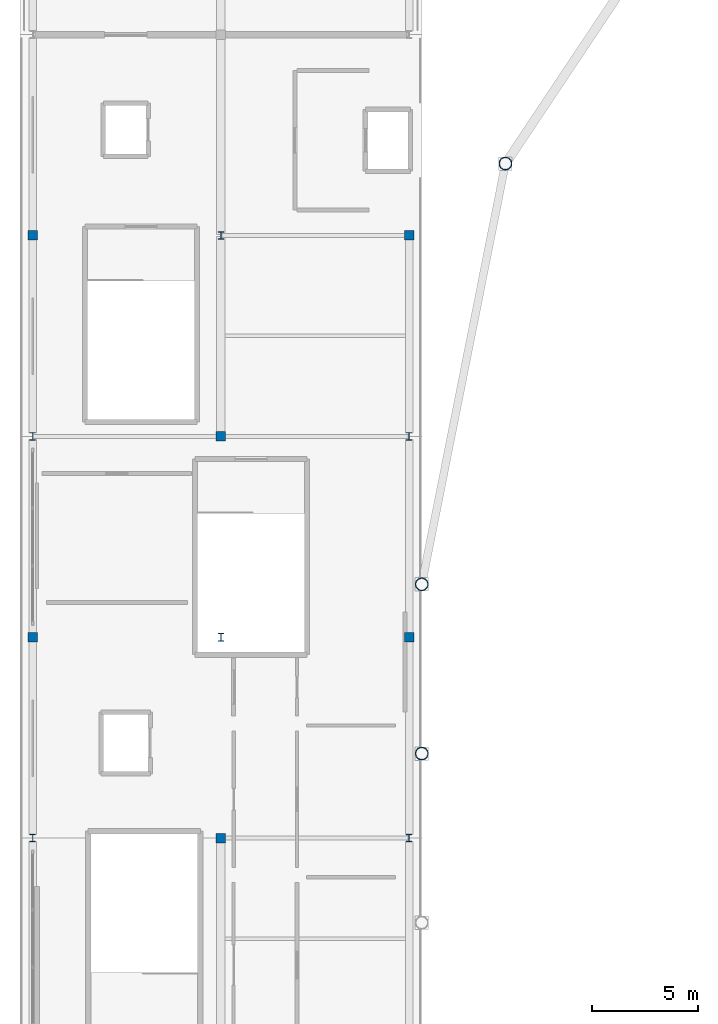
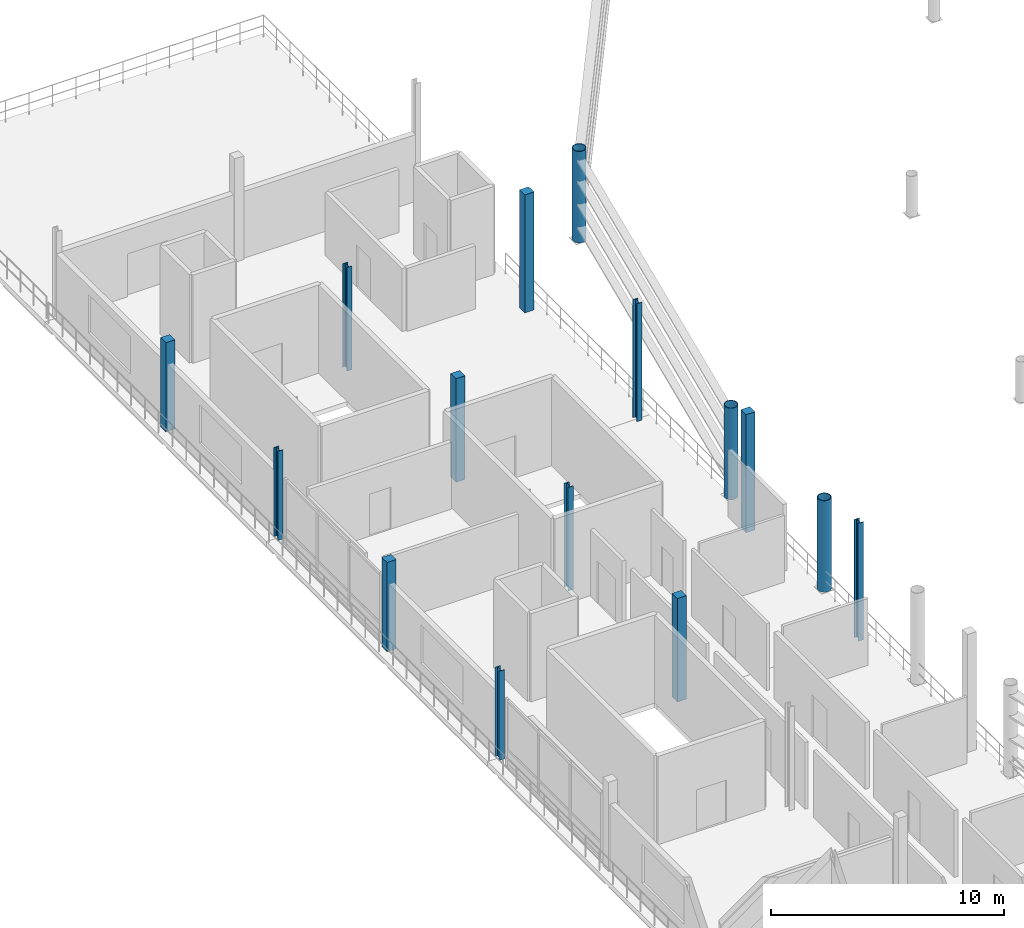
# One storey, part 6 of 29: 15 columns.
"""IFC4 building model written with IfcOpenShell, lengths in metres."""

from ifc_helpers import new_model, si_unit, direction, frame, origin, origin_2d, place, context, subcontext, project, spatial, rectangle, hollow_circle, i_section, extrude, material, material_profile, profile_set, type_object, element, save


model = new_model("IFC4")

# Units and contexts
model_context = context("Model", 3, precision=1e-05, world=origin(), true_north=direction((0.0, 1.0)))
body_context = subcontext(model_context, "Body", "Model", "MODEL_VIEW")
ifc_project = project(units=[si_unit("LENGTHUNIT", "METRE"), si_unit("AREAUNIT", "SQUARE_METRE"), si_unit("VOLUMEUNIT", "CUBIC_METRE"), si_unit("PLANEANGLEUNIT", "RADIAN"), si_unit("MASSUNIT", "GRAM", prefix="KILO")], contexts=[model_context])

# Site, building, storey
site_placement = place(None, origin())
site = spatial("IfcSite", under=ifc_project, at=site_placement, CompositionType="ELEMENT")
building_placement = place(site_placement, origin())
building = spatial("IfcBuilding", under=site, at=building_placement, Name="Candeia Ridge Stadium", CompositionType="ELEMENT")
storey_placement = place(building_placement, frame((0.0, 0.0, 27.0)))
storey = spatial("IfcBuildingStorey", under=building, at=storey_placement, Name="L05", CompositionType="ELEMENT", Elevation=27.0)

# Columns
ifc_material_1 = material(Name="Steel ASTM A572 Grade 50", Category="steel")
ifc_material_profile_1 = material_profile(ifc_material_1, i_section(OverallWidth=0.257080078125, OverallDepth=0.363037109375, WebThickness=0.012939453125, FlangeThickness=0.021728515625, FilletRadius=0.014892578125, at=origin_2d()), Name="W360x122", Category="steel")
ifc_profile_set_1 = profile_set([ifc_material_profile_1], Name="Steel ASTM A572 Grade 50")
column_type_1 = type_object("IfcColumnType", Name="Gate Steel Column W360x122", PredefinedType="COLUMN", material=ifc_profile_set_1)
for number, where, z_axis, x_axis, name in (
    (1, (0.60009765625, 83.0, 0.0), (0.0, 0.0, 1.0), (1.0, 0.0, 0.0), "Structural column WP-00-07 L05"),
    (2, (0.60009765625, 102.0, 0.0), (0.0, 0.0, 1.0), (1.0, 0.0, 0.0), "Structural column WP-00-09 L05"),
):
    element("IfcColumn", number, at=place(storey_placement, frame(where, z_axis=z_axis, x_axis=x_axis)), inside=storey, type_object=column_type_1, Name=name, PredefinedType="COLUMN", context=body_context, shape_type="SweptSolid", body=[
        extrude(i_section(OverallWidth=0.257080078125, OverallDepth=0.363037109375, WebThickness=0.012939453125, FlangeThickness=0.021728515625, FilletRadius=0.014892578125, at=origin_2d()), origin(), (0.0, 0.0, 1.0), 4.671142578125),
    ])
for number, where, z_axis, x_axis, name in (
    (3, (9.5, 92.5, 0.0), (0.0, 0.0, 1.0), (1.0, 0.0, 0.0), "Structural column WP-01-08 L05"),
    (4, (9.5, 111.5, 0.0), (0.0, 0.0, 1.0), (1.0, 0.0, 0.0), "Structural column WP-01-10 L05"),
):
    element("IfcColumn", number, at=place(storey_placement, frame(where, z_axis=z_axis, x_axis=x_axis)), inside=storey, type_object=column_type_1, Name=name, PredefinedType="COLUMN", context=body_context, shape_type="SweptSolid", body=[
        extrude(i_section(OverallWidth=0.257080078125, OverallDepth=0.363037109375, WebThickness=0.012939453125, FlangeThickness=0.021728515625, FilletRadius=0.014892578125, at=origin_2d()), origin(), (0.0, 0.0, 1.0), 5.428466796875),
    ])
for number, where, z_axis, x_axis, name in (
    (5, (18.39990234375, 83.0, 0.0), (0.0, 0.0, 1.0), (1.0, 0.0, 0.0), "Structural column WP-02-07 L05"),
    (6, (18.39990234375, 102.0, 0.0), (0.0, 0.0, 1.0), (1.0, 0.0, 0.0), "Structural column WP-02-09 L05"),
):
    element("IfcColumn", number, at=place(storey_placement, frame(where, z_axis=z_axis, x_axis=x_axis)), inside=storey, type_object=column_type_1, Name=name, PredefinedType="COLUMN", context=body_context, shape_type="SweptSolid", body=[
        extrude(i_section(OverallWidth=0.257080078125, OverallDepth=0.363037109375, WebThickness=0.012939453125, FlangeThickness=0.021728515625, FilletRadius=0.014892578125, at=origin_2d()), origin(), (0.0, 0.0, 1.0), 6.18603515625),
    ])
ifc_material_2 = material(Name="Concrete C40/50", Category="concrete")
ifc_material_profile_2 = material_profile(ifc_material_2, rectangle(XDim=0.449951171875, YDim=0.449951171875, at=origin_2d()), Name="RC450x450", Category="concrete")
ifc_profile_set_2 = profile_set([ifc_material_profile_2], Name="Concrete C40/50")
column_type_2 = type_object("IfcColumnType", Name="Reinforced Concrete Column RC450x450", PredefinedType="COLUMN", material=ifc_profile_set_2)
for number, where, z_axis, x_axis, name in (
    (7, (0.60009765625, 92.5, 0.0), (0.0, 0.0, 1.0), (1.0, 0.0, 0.0), "Structural column WP-00-08 L05"),
    (8, (0.60009765625, 111.5, 0.0), (0.0, 0.0, 1.0), (1.0, 0.0, 0.0), "Structural column WP-00-10 L05"),
):
    element("IfcColumn", number, at=place(storey_placement, frame(where, z_axis=z_axis, x_axis=x_axis)), inside=storey, type_object=column_type_2, Name=name, PredefinedType="COLUMN", context=body_context, shape_type="SweptSolid", body=[
        extrude(rectangle(XDim=0.449951171875, YDim=0.449951171875, at=origin_2d()), origin(), (0.0, 0.0, 1.0), 4.671142578125),
    ])
for number, where, z_axis, x_axis, name in (
    (9, (9.5, 83.0, 0.0), (0.0, 0.0, 1.0), (1.0, 0.0, 0.0), "Structural column WP-01-07 L05"),
    (10, (9.5, 102.0, 0.0), (0.0, 0.0, 1.0), (1.0, 0.0, 0.0), "Structural column WP-01-09 L05"),
):
    element("IfcColumn", number, at=place(storey_placement, frame(where, z_axis=z_axis, x_axis=x_axis)), inside=storey, type_object=column_type_2, Name=name, PredefinedType="COLUMN", context=body_context, shape_type="SweptSolid", body=[
        extrude(rectangle(XDim=0.449951171875, YDim=0.449951171875, at=origin_2d()), origin(), (0.0, 0.0, 1.0), 5.428466796875),
    ])
for number, where, z_axis, x_axis, name in (
    (11, (18.39990234375, 92.5, 0.0), (0.0, 0.0, 1.0), (1.0, 0.0, 0.0), "Structural column WP-02-08 L05"),
    (12, (18.39990234375, 111.5, 0.0), (0.0, 0.0, 1.0), (1.0, 0.0, 0.0), "Structural column WP-02-10 L05"),
):
    element("IfcColumn", number, at=place(storey_placement, frame(where, z_axis=z_axis, x_axis=x_axis)), inside=storey, type_object=column_type_2, Name=name, PredefinedType="COLUMN", context=body_context, shape_type="SweptSolid", body=[
        extrude(rectangle(XDim=0.449951171875, YDim=0.449951171875, at=origin_2d()), origin(), (0.0, 0.0, 1.0), 6.18603515625),
    ])
ifc_material_profile_3 = material_profile(ifc_material_1, hollow_circle(Radius=0.304931640625, WallThickness=0.02490234375, at=origin_2d()), Name="CHS610x25", Category="steel")
ifc_profile_set_3 = profile_set([ifc_material_profile_3], Name="Steel ASTM A572 Grade 50")
column_type_3 = type_object("IfcColumnType", Name="Roof Mast Column CHS610x25", PredefinedType="PILASTER", material=ifc_profile_set_3)
for number, where, z_axis, x_axis, name in (
    (13, (22.958251953125, 114.899658203125, 0.0), (0.0, 0.0, 1.0), (1.0, 0.0, 0.0), "Roof truss steel mast column BC-OU-10 L05"),
    (14, (19.0, 95.0, 0.0), (0.0, 0.0, 1.0), (1.0, 0.0, 0.0), "Roof truss steel mast column BC-OU-11 L05"),
    (15, (19.0, 87.0, 0.0), (0.0, 0.0, 1.0), (1.0, 0.0, 0.0), "Roof truss steel mast column BC-OU-12 L05"),
):
    element("IfcColumn", number, at=place(storey_placement, frame(where, z_axis=z_axis, x_axis=x_axis)), inside=storey, type_object=column_type_3, Name=name, PredefinedType="PILASTER", context=body_context, shape_type="SweptSolid", body=[
        extrude(hollow_circle(Radius=0.304931640625, WallThickness=0.02490234375, at=origin_2d()), origin(), (0.0, 0.0, 1.0), 4.800048828125),
    ])

save(model, "model.ifc")
